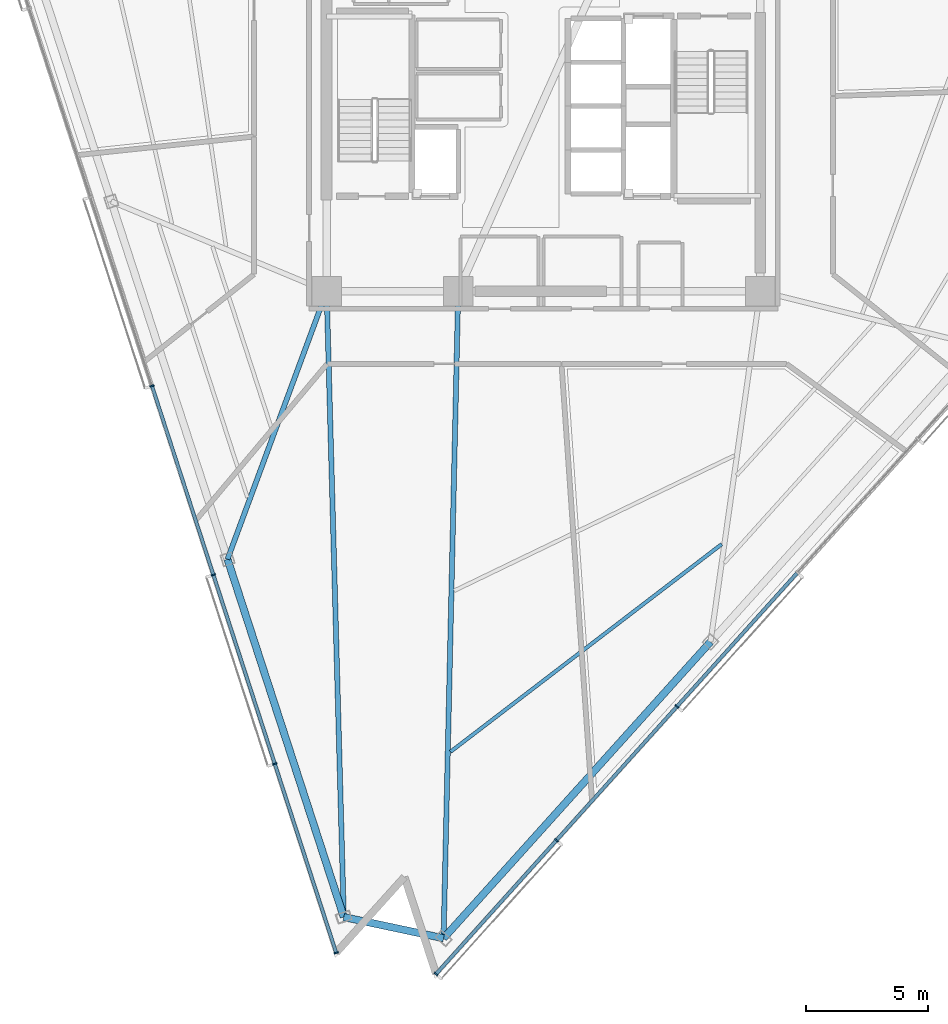
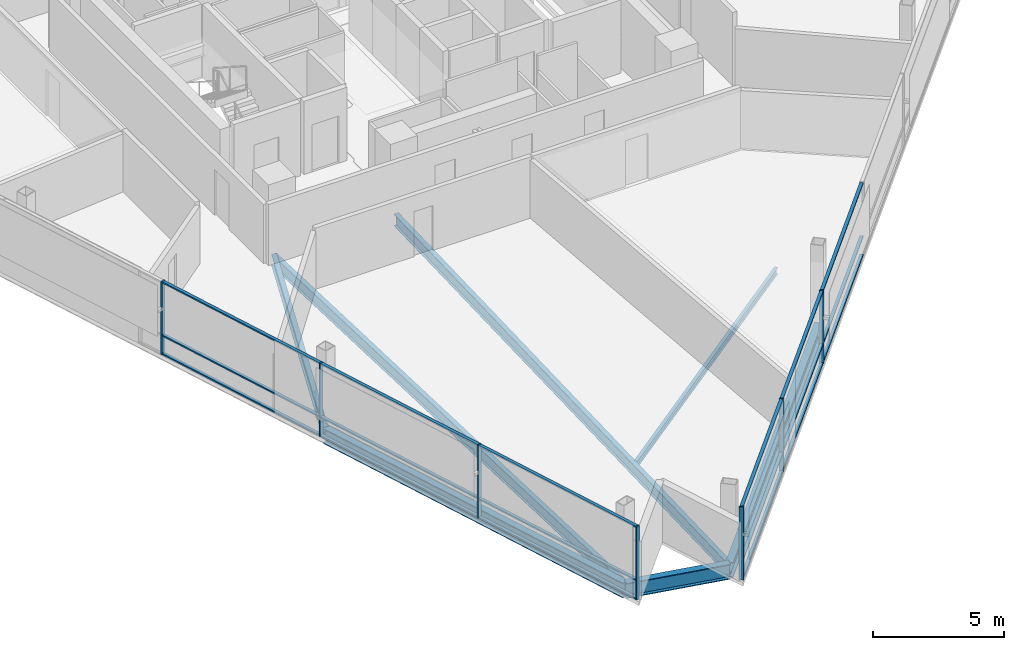
# One storey, part 2 of 17: 25 members, 7 beams, 2 elements without a shape of their own.
"""IFC4 building model written with IfcOpenShell, lengths in metres."""

from ifc_helpers import new_model, si_unit, direction, frame, origin, origin_2d, place, context, subcontext, project, spatial, rectangle, i_section, extrude, material, layer, layer_set, material_profile, profile_set, type_object, element, aggregate, save


model = new_model("IFC4")

# Units and contexts
model_context = context("Model", 3, precision=1e-05, world=origin(), true_north=direction((0.0, 1.0)))
body_context = subcontext(model_context, "Body", "Model", "MODEL_VIEW")
ifc_project = project(units=[si_unit("LENGTHUNIT", "METRE"), si_unit("AREAUNIT", "SQUARE_METRE"), si_unit("VOLUMEUNIT", "CUBIC_METRE"), si_unit("PLANEANGLEUNIT", "RADIAN"), si_unit("MASSUNIT", "GRAM", prefix="KILO")], contexts=[model_context])

# Site, building, storey
site_placement = place(None, origin())
site = spatial("IfcSite", under=ifc_project, at=site_placement, CompositionType="ELEMENT")
building_placement = place(site_placement, origin())
building = spatial("IfcBuilding", under=site, at=building_placement, Name="Tharavind Bronze Gate", CompositionType="ELEMENT")
storey_placement = place(building_placement, frame((0.0, 0.0, 204.050048828125)))
storey = spatial("IfcBuildingStorey", under=building, at=storey_placement, Name="L52", CompositionType="ELEMENT", Elevation=204.050048828125)

# Curtain wall, members
ifc_material_1 = material(Name="Anodised Bronze Aluminium", Category="aluminium")
ifc_layer = layer(ifc_material_1, 0.219970703125)
ifc_layer_set = layer_set([ifc_layer], Name="Anodised Bronze Aluminium")
curtain_wall_type = type_object("IfcCurtainWallType", Name="UNITISED CURTAIN WALL MID OFFICE", PredefinedType="USERDEFINED", material=ifc_layer_set)
curtain_wall_1_placement = place(storey_placement, origin())
curtain_wall_1 = element("IfcCurtainWall", 1, at=curtain_wall_1_placement, inside=storey, type_object=curtain_wall_type, Name="L52 unitised curtain wall mid office CW-L52-S1", ObjectType="UNITISED CURTAIN WALL", PredefinedType="USERDEFINED")
member_type_1 = type_object("IfcMemberType", Name="CURTAIN WALL BRONZE MULLION 65X180", PredefinedType="MULLION", material=ifc_material_1)
member_1_placement = place(storey_placement, frame((-16.0693359375, -11.489013671875, 0.0), z_axis=(0.0, 0.0, 1.0), x_axis=(0.309016994375, -0.951056516295, 0.0)))
member_1 = element("IfcMember", 2, at=member_1_placement, type_object=member_type_1, Name="CW-L52-S1 mullion 4", PredefinedType="MULLION", context=body_context, shape_type="SweptSolid", body=[
    extrude(rectangle(XDim=0.06494140625, YDim=0.179931640625, at=origin_2d()), origin(), (0.0, 0.0, 1.0), 3.419921875),
])
member_2_placement = place(storey_placement, frame((-13.54931640625, -19.24560546875, 0.0), z_axis=(0.0, 0.0, 1.0), x_axis=(0.309016994375, -0.951056516295, 0.0)))
member_2 = element("IfcMember", 3, at=member_2_placement, type_object=member_type_1, Name="CW-L52-S1 mullion 5", PredefinedType="MULLION", context=body_context, shape_type="SweptSolid", body=[
    extrude(rectangle(XDim=0.06494140625, YDim=0.179931640625, at=origin_2d()), origin(), (0.0, 0.0, 1.0), 3.419921875),
])
member_3_placement = place(storey_placement, frame((-11.029052734375, -27.002197265625, 0.0), z_axis=(0.0, 0.0, 1.0), x_axis=(0.309016994375, -0.951056516295, 0.0)))
member_3 = element("IfcMember", 4, at=member_3_placement, type_object=member_type_1, Name="CW-L52-S1 mullion 6", PredefinedType="MULLION", context=body_context, shape_type="SweptSolid", body=[
    extrude(rectangle(XDim=0.06494140625, YDim=0.179931640625, at=origin_2d()), origin(), (0.0, 0.0, 1.0), 3.419921875),
])
member_4_placement = place(storey_placement, frame((-8.5087890625, -34.7587890625, 0.0), z_axis=(0.0, 0.0, 1.0), x_axis=(0.309016994375, -0.951056516295, 0.0)))
member_4 = element("IfcMember", 5, at=member_4_placement, type_object=member_type_1, Name="CW-L52-S1 mullion 7", PredefinedType="MULLION", context=body_context, shape_type="SweptSolid", body=[
    extrude(rectangle(XDim=0.06494140625, YDim=0.179931640625, at=origin_2d()), origin(), (0.0, 0.0, 1.0), 3.419921875),
])

curtain_wall_2_placement = place(storey_placement, origin())
curtain_wall_2 = element("IfcCurtainWall", 6, at=curtain_wall_2_placement, inside=storey, type_object=curtain_wall_type, Name="L52 unitised curtain wall mid office CW-L52-S2", ObjectType="UNITISED CURTAIN WALL", PredefinedType="USERDEFINED")
member_5_placement = place(storey_placement, frame((-4.412109375, -35.62939453125, 0.0), z_axis=(0.0, 0.0, 1.0), x_axis=(0.669130606359, 0.743144825477, 0.0)))
member_5 = element("IfcMember", 7, at=member_5_placement, type_object=member_type_1, Name="CW-L52-S2 mullion 1", PredefinedType="MULLION", context=body_context, shape_type="SweptSolid", body=[
    extrude(rectangle(XDim=0.06494140625, YDim=0.179931640625, at=origin_2d()), origin(), (0.0, 0.0, 1.0), 3.419921875),
])
member_6_placement = place(storey_placement, frame((0.5322265625, -30.13818359375, 0.0), z_axis=(0.0, 0.0, 1.0), x_axis=(0.669130606359, 0.743144825477, 0.0)))
member_6 = element("IfcMember", 8, at=member_6_placement, type_object=member_type_1, Name="CW-L52-S2 mullion 2", PredefinedType="MULLION", context=body_context, shape_type="SweptSolid", body=[
    extrude(rectangle(XDim=0.06494140625, YDim=0.179931640625, at=origin_2d()), origin(), (0.0, 0.0, 1.0), 3.419921875),
])
member_7_placement = place(storey_placement, frame((5.476806640625, -24.646484375, 0.0), z_axis=(0.0, 0.0, 1.0), x_axis=(0.669130606359, 0.743144825477, 0.0)))
member_7 = element("IfcMember", 9, at=member_7_placement, type_object=member_type_1, Name="CW-L52-S2 mullion 3", PredefinedType="MULLION", context=body_context, shape_type="SweptSolid", body=[
    extrude(rectangle(XDim=0.06494140625, YDim=0.179931640625, at=origin_2d()), origin(), (0.0, 0.0, 1.0), 3.419921875),
])

# Member
member_type_2 = type_object("IfcMemberType", Name="CURTAIN WALL BRONZE TRANSOM 65X140", PredefinedType="USERDEFINED", material=ifc_material_1)
member_8_placement = place(storey_placement, frame((-14.809326171875, -15.367431640625, 0.0), z_axis=(0.0, 0.0, 1.0), x_axis=(0.309016994375, -0.951056516295, 0.0)))
member_8 = element("IfcMember", 10, at=member_8_placement, type_object=member_type_2, Name="CW-L52-S1 transom TB4", ObjectType="TRANSOM", PredefinedType="USERDEFINED", context=body_context, shape_type="SweptSolid", body=[
    extrude(rectangle(XDim=8.102783203125, YDim=0.139892578125, at=origin_2d()), origin(), (0.0, 0.0, 1.0), 0.06494140625),
])

member_9_placement = place(storey_placement, frame((-14.809326171875, -15.367431640625, 0.867431640625), z_axis=(0.0, 0.0, 1.0), x_axis=(0.309016994375, -0.951056516295, 0.0)))
member_9 = element("IfcMember", 11, at=member_9_placement, type_object=member_type_2, Name="CW-L52-S1 transom TS4", ObjectType="TRANSOM", PredefinedType="USERDEFINED", context=body_context, shape_type="SweptSolid", body=[
    extrude(rectangle(XDim=8.102783203125, YDim=0.139892578125, at=origin_2d()), origin(), (0.0, 0.0, 1.0), 0.06494140625),
])

member_10_placement = place(storey_placement, frame((-14.809326171875, -15.367431640625, 3.35498046875), z_axis=(0.0, 0.0, 1.0), x_axis=(0.309016994375, -0.951056516295, 0.0)))
member_10 = element("IfcMember", 12, at=member_10_placement, type_object=member_type_2, Name="CW-L52-S1 transom TT4", ObjectType="TRANSOM", PredefinedType="USERDEFINED", context=body_context, shape_type="SweptSolid", body=[
    extrude(rectangle(XDim=8.102783203125, YDim=0.139892578125, at=origin_2d()), origin(), (0.0, 0.0, 1.0), 0.06494140625),
])

member_11_placement = place(storey_placement, frame((-12.2890625, -23.123779296875, 0.0), z_axis=(0.0, 0.0, 1.0), x_axis=(0.309016994375, -0.951056516295, 0.0)))
member_11 = element("IfcMember", 13, at=member_11_placement, type_object=member_type_2, Name="CW-L52-S1 transom TB5", ObjectType="TRANSOM", PredefinedType="USERDEFINED", context=body_context, shape_type="SweptSolid", body=[
    extrude(rectangle(XDim=8.102783203125, YDim=0.139892578125, at=origin_2d()), origin(), (0.0, 0.0, 1.0), 0.06494140625),
])

member_12_placement = place(storey_placement, frame((-12.2890625, -23.123779296875, 0.867431640625), z_axis=(0.0, 0.0, 1.0), x_axis=(0.309016994375, -0.951056516295, 0.0)))
member_12 = element("IfcMember", 14, at=member_12_placement, type_object=member_type_2, Name="CW-L52-S1 transom TS5", ObjectType="TRANSOM", PredefinedType="USERDEFINED", context=body_context, shape_type="SweptSolid", body=[
    extrude(rectangle(XDim=8.102783203125, YDim=0.139892578125, at=origin_2d()), origin(), (0.0, 0.0, 1.0), 0.06494140625),
])

member_13_placement = place(storey_placement, frame((-12.2890625, -23.123779296875, 3.35498046875), z_axis=(0.0, 0.0, 1.0), x_axis=(0.309016994375, -0.951056516295, 0.0)))
member_13 = element("IfcMember", 15, at=member_13_placement, type_object=member_type_2, Name="CW-L52-S1 transom TT5", ObjectType="TRANSOM", PredefinedType="USERDEFINED", context=body_context, shape_type="SweptSolid", body=[
    extrude(rectangle(XDim=8.102783203125, YDim=0.139892578125, at=origin_2d()), origin(), (0.0, 0.0, 1.0), 0.06494140625),
])

member_14_placement = place(storey_placement, frame((-9.768798828125, -30.88037109375, 0.0), z_axis=(0.0, 0.0, 1.0), x_axis=(0.309016994375, -0.951056516295, 0.0)))
member_14 = element("IfcMember", 16, at=member_14_placement, type_object=member_type_2, Name="CW-L52-S1 transom TB6", ObjectType="TRANSOM", PredefinedType="USERDEFINED", context=body_context, shape_type="SweptSolid", body=[
    extrude(rectangle(XDim=8.102783203125, YDim=0.139892578125, at=origin_2d()), origin(), (0.0, 0.0, 1.0), 0.06494140625),
])

member_15_placement = place(storey_placement, frame((-9.768798828125, -30.88037109375, 0.867431640625), z_axis=(0.0, 0.0, 1.0), x_axis=(0.309016994375, -0.951056516295, 0.0)))
member_15 = element("IfcMember", 17, at=member_15_placement, type_object=member_type_2, Name="CW-L52-S1 transom TS6", ObjectType="TRANSOM", PredefinedType="USERDEFINED", context=body_context, shape_type="SweptSolid", body=[
    extrude(rectangle(XDim=8.102783203125, YDim=0.139892578125, at=origin_2d()), origin(), (0.0, 0.0, 1.0), 0.06494140625),
])

member_16_placement = place(storey_placement, frame((-9.768798828125, -30.88037109375, 3.35498046875), z_axis=(0.0, 0.0, 1.0), x_axis=(0.309016994375, -0.951056516295, 0.0)))
member_16 = element("IfcMember", 18, at=member_16_placement, type_object=member_type_2, Name="CW-L52-S1 transom TT6", ObjectType="TRANSOM", PredefinedType="USERDEFINED", context=body_context, shape_type="SweptSolid", body=[
    extrude(rectangle(XDim=8.102783203125, YDim=0.139892578125, at=origin_2d()), origin(), (0.0, 0.0, 1.0), 0.06494140625),
])

aggregate(curtain_wall_1, [member_1, member_2, member_3, member_4, member_8, member_9, member_10, member_11, member_12, member_13, member_14, member_15, member_16])

member_17_placement = place(storey_placement, frame((-1.93994140625, -32.8837890625, 0.0), z_axis=(0.0, 0.0, 1.0), x_axis=(0.669130606359, 0.743144825477, 0.0)))
member_17 = element("IfcMember", 19, at=member_17_placement, type_object=member_type_2, Name="CW-L52-S2 transom TB1", ObjectType="TRANSOM", PredefinedType="USERDEFINED", context=body_context, shape_type="SweptSolid", body=[
    extrude(rectangle(XDim=7.33642578125, YDim=0.139892578125, at=origin_2d()), origin(), (0.0, 0.0, 1.0), 0.06494140625),
])

member_18_placement = place(storey_placement, frame((-1.93994140625, -32.8837890625, 0.867431640625), z_axis=(0.0, 0.0, 1.0), x_axis=(0.669130606359, 0.743144825477, 0.0)))
member_18 = element("IfcMember", 20, at=member_18_placement, type_object=member_type_2, Name="CW-L52-S2 transom TS1", ObjectType="TRANSOM", PredefinedType="USERDEFINED", context=body_context, shape_type="SweptSolid", body=[
    extrude(rectangle(XDim=7.33642578125, YDim=0.139892578125, at=origin_2d()), origin(), (0.0, 0.0, 1.0), 0.06494140625),
])

member_19_placement = place(storey_placement, frame((-1.93994140625, -32.8837890625, 3.35498046875), z_axis=(0.0, 0.0, 1.0), x_axis=(0.669130606359, 0.743144825477, 0.0)))
member_19 = element("IfcMember", 21, at=member_19_placement, type_object=member_type_2, Name="CW-L52-S2 transom TT1", ObjectType="TRANSOM", PredefinedType="USERDEFINED", context=body_context, shape_type="SweptSolid", body=[
    extrude(rectangle(XDim=7.33642578125, YDim=0.139892578125, at=origin_2d()), origin(), (0.0, 0.0, 1.0), 0.06494140625),
])

member_20_placement = place(storey_placement, frame((3.004638671875, -27.392333984375, 0.0), z_axis=(0.0, 0.0, 1.0), x_axis=(0.669130606359, 0.743144825477, 0.0)))
member_20 = element("IfcMember", 22, at=member_20_placement, type_object=member_type_2, Name="CW-L52-S2 transom TB2", ObjectType="TRANSOM", PredefinedType="USERDEFINED", context=body_context, shape_type="SweptSolid", body=[
    extrude(rectangle(XDim=7.33642578125, YDim=0.139892578125, at=origin_2d()), origin(), (0.0, 0.0, 1.0), 0.06494140625),
])

member_21_placement = place(storey_placement, frame((3.004638671875, -27.392333984375, 0.867431640625), z_axis=(0.0, 0.0, 1.0), x_axis=(0.669130606359, 0.743144825477, 0.0)))
member_21 = element("IfcMember", 23, at=member_21_placement, type_object=member_type_2, Name="CW-L52-S2 transom TS2", ObjectType="TRANSOM", PredefinedType="USERDEFINED", context=body_context, shape_type="SweptSolid", body=[
    extrude(rectangle(XDim=7.33642578125, YDim=0.139892578125, at=origin_2d()), origin(), (0.0, 0.0, 1.0), 0.06494140625),
])

member_22_placement = place(storey_placement, frame((3.004638671875, -27.392333984375, 3.35498046875), z_axis=(0.0, 0.0, 1.0), x_axis=(0.669130606359, 0.743144825477, 0.0)))
member_22 = element("IfcMember", 24, at=member_22_placement, type_object=member_type_2, Name="CW-L52-S2 transom TT2", ObjectType="TRANSOM", PredefinedType="USERDEFINED", context=body_context, shape_type="SweptSolid", body=[
    extrude(rectangle(XDim=7.33642578125, YDim=0.139892578125, at=origin_2d()), origin(), (0.0, 0.0, 1.0), 0.06494140625),
])

member_23_placement = place(storey_placement, frame((7.94921875, -21.90087890625, 0.0), z_axis=(0.0, 0.0, 1.0), x_axis=(0.669130606359, 0.743144825477, 0.0)))
member_23 = element("IfcMember", 25, at=member_23_placement, type_object=member_type_2, Name="CW-L52-S2 transom TB3", ObjectType="TRANSOM", PredefinedType="USERDEFINED", context=body_context, shape_type="SweptSolid", body=[
    extrude(rectangle(XDim=7.33642578125, YDim=0.139892578125, at=origin_2d()), origin(), (0.0, 0.0, 1.0), 0.06494140625),
])

member_24_placement = place(storey_placement, frame((7.94921875, -21.90087890625, 0.867431640625), z_axis=(0.0, 0.0, 1.0), x_axis=(0.669130606359, 0.743144825477, 0.0)))
member_24 = element("IfcMember", 26, at=member_24_placement, type_object=member_type_2, Name="CW-L52-S2 transom TS3", ObjectType="TRANSOM", PredefinedType="USERDEFINED", context=body_context, shape_type="SweptSolid", body=[
    extrude(rectangle(XDim=7.33642578125, YDim=0.139892578125, at=origin_2d()), origin(), (0.0, 0.0, 1.0), 0.06494140625),
])

member_25_placement = place(storey_placement, frame((7.94921875, -21.90087890625, 3.35498046875), z_axis=(0.0, 0.0, 1.0), x_axis=(0.669130606359, 0.743144825477, 0.0)))
member_25 = element("IfcMember", 27, at=member_25_placement, type_object=member_type_2, Name="CW-L52-S2 transom TT3", ObjectType="TRANSOM", PredefinedType="USERDEFINED", context=body_context, shape_type="SweptSolid", body=[
    extrude(rectangle(XDim=7.33642578125, YDim=0.139892578125, at=origin_2d()), origin(), (0.0, 0.0, 1.0), 0.06494140625),
])

aggregate(curtain_wall_2, [member_5, member_6, member_7, member_17, member_18, member_19, member_20, member_21, member_22, member_23, member_24, member_25])

# Beams
ifc_material_2 = material(Name="Steel S355", Category="steel")
ifc_material_profile_1 = material_profile(ifc_material_2, i_section(OverallWidth=0.2099609375, OverallDepth=0.550048828125, WebThickness=0.010986328125, FlangeThickness=0.01708984375, at=origin_2d()), Name="IPE550")
ifc_profile_set_1 = profile_set([ifc_material_profile_1], Name="Steel S355")
beam_type_1 = type_object("IfcBeamType", Name="PRIMARY GIRDER IPE550", PredefinedType="USERDEFINED", material=ifc_profile_set_1)
beam_1_placement = place(storey_placement, frame((-12.9697265625, -18.60205078125, -0.455078125), z_axis=(0.34694151405, 0.937886765995, 0.0), x_axis=(-0.937886765995, 0.34694151405, 0.0)))
element("IfcBeam", 28, at=beam_1_placement, inside=storey, type_object=beam_type_1, Name="L52 primary girder ipe550 BM-L52-RAD03", ObjectType="GIRDER", PredefinedType="USERDEFINED", context=body_context, shape_type="SweptSolid", body=[
    extrude(i_section(OverallWidth=0.2099609375, OverallDepth=0.550048828125, WebThickness=0.010986328125, FlangeThickness=0.01708984375, at=origin_2d()), origin(), (0.0, 0.0, 1.0), 11.73046875),
])
beam_2_placement = place(storey_placement, frame((-8.197021484375, -33.29150390625, -0.455078125), z_axis=(-0.027348365031, 0.999625963513, 0.0), x_axis=(-0.999625963513, -0.027348365031, 0.0)))
element("IfcBeam", 29, at=beam_2_placement, inside=storey, type_object=beam_type_1, Name="L52 primary girder ipe550 BM-L52-RAD04", ObjectType="GIRDER", PredefinedType="USERDEFINED", context=body_context, shape_type="SweptSolid", body=[
    extrude(i_section(OverallWidth=0.2099609375, OverallDepth=0.550048828125, WebThickness=0.010986328125, FlangeThickness=0.01708984375, at=origin_2d()), origin(), (0.0, 0.0, 1.0), 25.700927734375),
])
beam_3_placement = place(storey_placement, frame((-4.100341796875, -34.162353515625, -0.455078125), z_axis=(0.022595540292, 0.999744688187, 0.0), x_axis=(-0.999744688187, 0.022595540292, 0.0)))
element("IfcBeam", 30, at=beam_3_placement, inside=storey, type_object=beam_type_1, Name="L52 primary girder ipe550 BM-L52-RAD05", ObjectType="GIRDER", PredefinedType="USERDEFINED", context=body_context, shape_type="SweptSolid", body=[
    extrude(i_section(OverallWidth=0.2099609375, OverallDepth=0.550048828125, WebThickness=0.010986328125, FlangeThickness=0.01708984375, at=origin_2d()), origin(), (0.0, 0.0, 1.0), 26.569091796875),
])
ifc_material_profile_2 = material_profile(ifc_material_2, i_section(OverallWidth=0.300048828125, OverallDepth=0.699951171875, WebThickness=0.01708984375, FlangeThickness=0.031982421875, at=origin_2d()), Name="HE700B")
ifc_profile_set_2 = profile_set([ifc_material_profile_2], Name="Steel S355")
beam_type_2 = type_object("IfcBeamType", Name="RING GIRDER HE700B", PredefinedType="USERDEFINED", material=ifc_profile_set_2)
beam_4_placement = place(storey_placement, frame((-12.9697265625, -18.60205078125, -0.530029296875), z_axis=(0.309006009957, -0.951060085279, 0.0), x_axis=(0.951060085279, 0.309006009957, 0.0)))
element("IfcBeam", 31, at=beam_4_placement, inside=storey, type_object=beam_type_2, Name="L52 ring girder he700b BM-L52-PRG03", ObjectType="GIRDER", PredefinedType="USERDEFINED", context=body_context, shape_type="SweptSolid", body=[
    extrude(i_section(OverallWidth=0.300048828125, OverallDepth=0.699951171875, WebThickness=0.01708984375, FlangeThickness=0.031982421875, at=origin_2d()), origin(), (0.0, 0.0, 1.0), 15.4453125),
])
beam_5_placement = place(storey_placement, frame((-8.197021484375, -33.29150390625, -0.530029296875), z_axis=(0.978144033538, -0.207928472445, 0.0), x_axis=(0.207928472445, 0.978144033538, 0.0)))
element("IfcBeam", 32, at=beam_5_placement, inside=storey, type_object=beam_type_2, Name="L52 ring girder he700b BM-L52-PRG04", ObjectType="GIRDER", PredefinedType="USERDEFINED", context=body_context, shape_type="SweptSolid", body=[
    extrude(i_section(OverallWidth=0.300048828125, OverallDepth=0.699951171875, WebThickness=0.01708984375, FlangeThickness=0.031982421875, at=origin_2d()), origin(), (0.0, 0.0, 1.0), 4.188232421875),
])
beam_6_placement = place(storey_placement, frame((-4.100341796875, -34.162353515625, -0.530029296875), z_axis=(0.669127800443, 0.743147351926, 0.0), x_axis=(-0.743147351926, 0.669127800443, 0.0)))
element("IfcBeam", 33, at=beam_6_placement, inside=storey, type_object=beam_type_2, Name="L52 ring girder he700b BM-L52-PRG05", ObjectType="GIRDER", PredefinedType="USERDEFINED", context=body_context, shape_type="SweptSolid", body=[
    extrude(i_section(OverallWidth=0.300048828125, OverallDepth=0.699951171875, WebThickness=0.01708984375, FlangeThickness=0.031982421875, at=origin_2d()), origin(), (0.0, 0.0, 1.0), 16.376220703125),
])
ifc_material_profile_3 = material_profile(ifc_material_2, i_section(OverallWidth=0.14990234375, OverallDepth=0.300048828125, WebThickness=0.007080078125, FlangeThickness=0.0107421875, at=origin_2d()), Name="IPE300")
ifc_profile_set_3 = profile_set([ifc_material_profile_3], Name="Steel S355")
beam_type_3 = type_object("IfcBeamType", Name="SECONDARY FLOOR JOIST IPE300", PredefinedType="JOIST", material=ifc_profile_set_3)
beam_7_placement = place(storey_placement, frame((-3.819091796875, -26.5078125, -0.330078125), z_axis=(0.794097846092, 0.607789939726, 0.0), x_axis=(-0.607789939726, 0.794097846092, 0.0)))
element("IfcBeam", 34, at=beam_7_placement, inside=storey, type_object=beam_type_3, Name="L52 secondary floor joist ipe300 BM-L52-JSTB05", PredefinedType="JOIST", context=body_context, shape_type="SweptSolid", body=[
    extrude(i_section(OverallWidth=0.14990234375, OverallDepth=0.300048828125, WebThickness=0.007080078125, FlangeThickness=0.0107421875, at=origin_2d()), origin(), (0.0, 0.0, 1.0), 14.024169921875),
])

save(model, "model.ifc")
